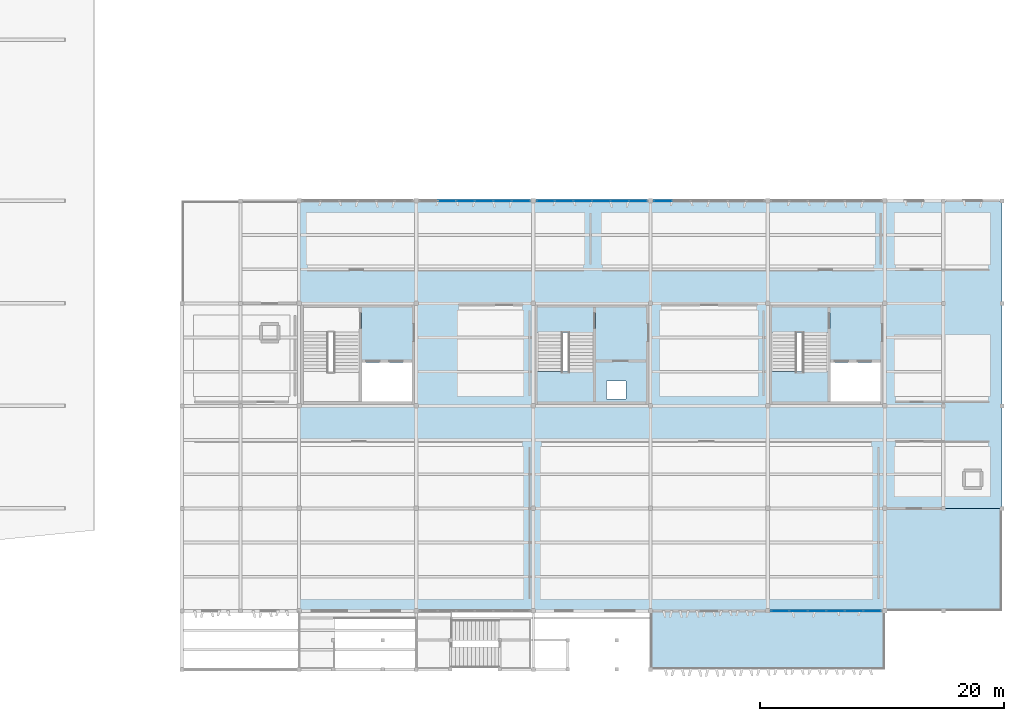
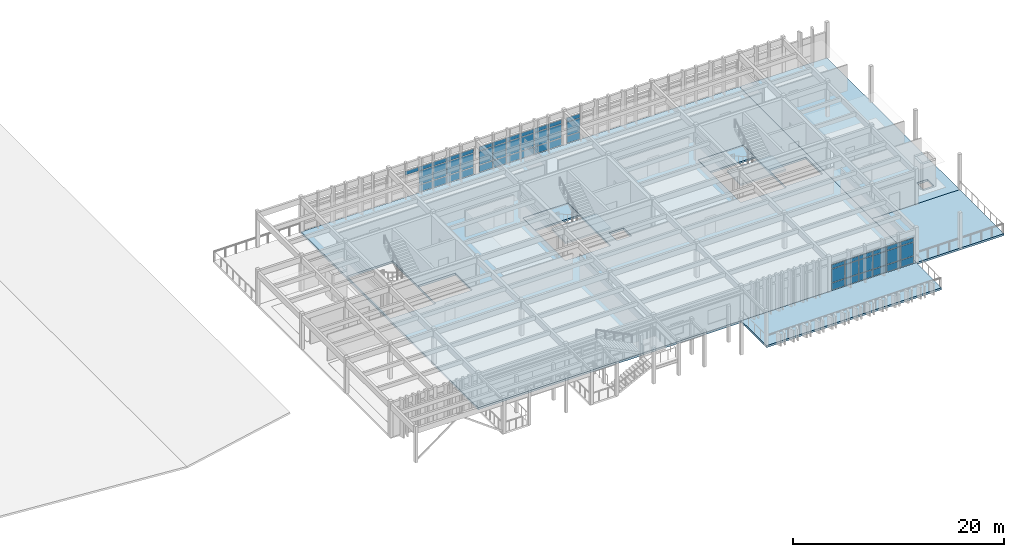
# One storey, part 12 of 18: 52 plates, 8 slabs, 6 elements without a shape of their own.
"""IFC4 building model written with IfcOpenShell, lengths in metres."""

from ifc_helpers import new_model, si_unit, direction, frame, origin, origin_2d, place, context, subcontext, project, spatial, polyline, rectangle, outline, extrude, material, layer, layer_set, type_object, element, aggregate, save


model = new_model("IFC4")

# Units and contexts
model_context = context("Model", 3, precision=1e-05, world=origin(), true_north=direction((0.0, 1.0)))
body_context = subcontext(model_context, "Body", "Model", "MODEL_VIEW")
ifc_project = project(units=[si_unit("LENGTHUNIT", "METRE"), si_unit("AREAUNIT", "SQUARE_METRE"), si_unit("VOLUMEUNIT", "CUBIC_METRE"), si_unit("PLANEANGLEUNIT", "RADIAN"), si_unit("MASSUNIT", "GRAM", prefix="KILO")], contexts=[model_context])

# Site, building, storey
site_placement = place(None, origin())
site = spatial("IfcSite", under=ifc_project, at=site_placement, CompositionType="ELEMENT")
building_placement = place(site_placement, origin())
building = spatial("IfcBuilding", under=site, at=building_placement, Name="Kolvemor Railside Polytechnic", CompositionType="ELEMENT")
storey_placement = place(building_placement, frame((0.0, 0.0, 18.60009765625)))
storey = spatial("IfcBuildingStorey", under=building, at=storey_placement, Name="L04", CompositionType="ELEMENT", Elevation=18.60009765625)

# Curtain wall, plates
ifc_material_1 = material(Name="Anodised marine aluminium and laminated low-E glass", Category="aluminium")
ifc_layer_1 = layer(ifc_material_1, 0.179931640625, Name="CW-UNIT-STD")
ifc_layer_set_1 = layer_set([ifc_layer_1], Name="Anodised marine aluminium and laminated low-E glass")
curtain_wall_type = type_object("IfcCurtainWallType", Name="CW-UNIT-STD", PredefinedType="USERDEFINED", material=ifc_layer_set_1)
curtain_wall_1_placement = place(storey_placement, origin())
curtain_wall_1 = element("IfcCurtainWall", 1, at=curtain_wall_1_placement, inside=storey, type_object=curtain_wall_type, Name="Curtain Wall L04-132", ObjectType="UNITISED CURTAIN WALL", PredefinedType="USERDEFINED")
ifc_material_2 = material(Name="Hurricane-laminated solar-control low-E glass", Category="glass")
ifc_layer_2 = layer(ifc_material_2, 0.033935546875, Name="CWP-GLZ-07")
ifc_layer_set_2 = layer_set([ifc_layer_2], Name="Hurricane-laminated solar-control low-E glass")
plate_type_1 = type_object("IfcPlateType", Name="CWP-GLZ-07", PredefinedType="CURTAIN_PANEL", material=ifc_layer_set_2)
plate_1_placement = place(storey_placement, frame((85.3837890625, 38.39990234375, 0.06494140625), z_axis=(0.0, 0.0, 1.0), x_axis=(-1.0, 0.0, 0.0)))
plate_1 = element("IfcPlate", 2, at=plate_1_placement, type_object=plate_type_1, Name="CW-STD panel 1.1", PredefinedType="CURTAIN_PANEL", context=body_context, shape_type="SweptSolid", body=[
    extrude(rectangle(XDim=1.422607421875, YDim=0.033935546875, at=origin_2d()), origin(), (0.0, 0.0, 1.0), 0.802490234375),
])
plate_2_placement = place(storey_placement, frame((85.3837890625, 38.39990234375, 0.9326171875), z_axis=(0.0, 0.0, 1.0), x_axis=(-1.0, 0.0, 0.0)))
plate_2 = element("IfcPlate", 3, at=plate_2_placement, type_object=plate_type_1, Name="CW-STD panel 1.2", PredefinedType="CURTAIN_PANEL", context=body_context, shape_type="SweptSolid", body=[
    extrude(rectangle(XDim=1.422607421875, YDim=0.033935546875, at=origin_2d()), origin(), (0.0, 0.0, 1.0), 1.554931640625),
])
plate_3_placement = place(storey_placement, frame((85.3837890625, 38.39990234375, 2.55224609375), z_axis=(0.0, 0.0, 1.0), x_axis=(-1.0, 0.0, 0.0)))
plate_3 = element("IfcPlate", 4, at=plate_3_placement, type_object=plate_type_1, Name="CW-STD panel 1.3", PredefinedType="CURTAIN_PANEL", context=body_context, shape_type="SweptSolid", body=[
    extrude(rectangle(XDim=1.422607421875, YDim=0.033935546875, at=origin_2d()), origin(), (0.0, 0.0, 1.0), 0.452392578125),
])
plate_4_placement = place(storey_placement, frame((83.8798828125, 38.39990234375, 0.06494140625), z_axis=(0.0, 0.0, 1.0), x_axis=(-1.0, 0.0, 0.0)))
plate_4 = element("IfcPlate", 5, at=plate_4_placement, type_object=plate_type_1, Name="CW-STD panel 2.1", PredefinedType="CURTAIN_PANEL", context=body_context, shape_type="SweptSolid", body=[
    extrude(rectangle(XDim=1.455078125, YDim=0.033935546875, at=origin_2d()), origin(), (0.0, 0.0, 1.0), 0.802490234375),
])
plate_5_placement = place(storey_placement, frame((83.8798828125, 38.39990234375, 0.9326171875), z_axis=(0.0, 0.0, 1.0), x_axis=(-1.0, 0.0, 0.0)))
plate_5 = element("IfcPlate", 6, at=plate_5_placement, type_object=plate_type_1, Name="CW-STD panel 2.2", PredefinedType="CURTAIN_PANEL", context=body_context, shape_type="SweptSolid", body=[
    extrude(rectangle(XDim=1.455078125, YDim=0.033935546875, at=origin_2d()), origin(), (0.0, 0.0, 1.0), 1.554931640625),
])
plate_6_placement = place(storey_placement, frame((83.8798828125, 38.39990234375, 2.55224609375), z_axis=(0.0, 0.0, 1.0), x_axis=(-1.0, 0.0, 0.0)))
plate_6 = element("IfcPlate", 7, at=plate_6_placement, type_object=plate_type_1, Name="CW-STD panel 2.3", PredefinedType="CURTAIN_PANEL", context=body_context, shape_type="SweptSolid", body=[
    extrude(rectangle(XDim=1.455078125, YDim=0.033935546875, at=origin_2d()), origin(), (0.0, 0.0, 1.0), 0.452392578125),
])
plate_7_placement = place(storey_placement, frame((82.360107421875, 38.39990234375, 0.06494140625), z_axis=(0.0, 0.0, 1.0), x_axis=(-1.0, 0.0, 0.0)))
plate_7 = element("IfcPlate", 8, at=plate_7_placement, type_object=plate_type_1, Name="CW-STD panel 3.1", PredefinedType="CURTAIN_PANEL", context=body_context, shape_type="SweptSolid", body=[
    extrude(rectangle(XDim=1.455078125, YDim=0.033935546875, at=origin_2d()), origin(), (0.0, 0.0, 1.0), 0.802490234375),
])
plate_8_placement = place(storey_placement, frame((82.360107421875, 38.39990234375, 0.9326171875), z_axis=(0.0, 0.0, 1.0), x_axis=(-1.0, 0.0, 0.0)))
plate_8 = element("IfcPlate", 9, at=plate_8_placement, type_object=plate_type_1, Name="CW-STD panel 3.2", PredefinedType="CURTAIN_PANEL", context=body_context, shape_type="SweptSolid", body=[
    extrude(rectangle(XDim=1.455078125, YDim=0.033935546875, at=origin_2d()), origin(), (0.0, 0.0, 1.0), 1.554931640625),
])
plate_9_placement = place(storey_placement, frame((82.360107421875, 38.39990234375, 2.55224609375), z_axis=(0.0, 0.0, 1.0), x_axis=(-1.0, 0.0, 0.0)))
plate_9 = element("IfcPlate", 10, at=plate_9_placement, type_object=plate_type_1, Name="CW-STD panel 3.3", PredefinedType="CURTAIN_PANEL", context=body_context, shape_type="SweptSolid", body=[
    extrude(rectangle(XDim=1.455078125, YDim=0.033935546875, at=origin_2d()), origin(), (0.0, 0.0, 1.0), 0.452392578125),
])
plate_10_placement = place(storey_placement, frame((80.840087890625, 38.39990234375, 0.06494140625), z_axis=(0.0, 0.0, 1.0), x_axis=(-1.0, 0.0, 0.0)))
plate_10 = element("IfcPlate", 11, at=plate_10_placement, type_object=plate_type_1, Name="CW-STD panel 4.1", PredefinedType="CURTAIN_PANEL", context=body_context, shape_type="SweptSolid", body=[
    extrude(rectangle(XDim=1.455078125, YDim=0.033935546875, at=origin_2d()), origin(), (0.0, 0.0, 1.0), 0.802490234375),
])
plate_11_placement = place(storey_placement, frame((80.840087890625, 38.39990234375, 0.9326171875), z_axis=(0.0, 0.0, 1.0), x_axis=(-1.0, 0.0, 0.0)))
plate_11 = element("IfcPlate", 12, at=plate_11_placement, type_object=plate_type_1, Name="CW-STD panel 4.2", PredefinedType="CURTAIN_PANEL", context=body_context, shape_type="SweptSolid", body=[
    extrude(rectangle(XDim=1.455078125, YDim=0.033935546875, at=origin_2d()), origin(), (0.0, 0.0, 1.0), 1.554931640625),
])
plate_12_placement = place(storey_placement, frame((80.840087890625, 38.39990234375, 2.55224609375), z_axis=(0.0, 0.0, 1.0), x_axis=(-1.0, 0.0, 0.0)))
plate_12 = element("IfcPlate", 13, at=plate_12_placement, type_object=plate_type_1, Name="CW-STD panel 4.3", PredefinedType="CURTAIN_PANEL", context=body_context, shape_type="SweptSolid", body=[
    extrude(rectangle(XDim=1.455078125, YDim=0.033935546875, at=origin_2d()), origin(), (0.0, 0.0, 1.0), 0.452392578125),
])
plate_13_placement = place(storey_placement, frame((79.320068359375, 38.39990234375, 2.55224609375), z_axis=(0.0, 0.0, 1.0), x_axis=(-1.0, 0.0, 0.0)))
plate_13 = element("IfcPlate", 14, at=plate_13_placement, type_object=plate_type_1, Name="CW-STD panel 5.3", PredefinedType="CURTAIN_PANEL", context=body_context, shape_type="SweptSolid", body=[
    extrude(rectangle(XDim=1.455078125, YDim=0.033935546875, at=origin_2d()), origin(), (0.0, 0.0, 1.0), 0.452392578125),
])
aggregate(curtain_wall_1, [plate_1, plate_2, plate_3, plate_4, plate_5, plate_6, plate_7, plate_8, plate_9, plate_10, plate_11, plate_12, plate_13])

curtain_wall_2_placement = place(storey_placement, origin())
curtain_wall_2 = element("IfcCurtainWall", 15, at=curtain_wall_2_placement, inside=storey, type_object=curtain_wall_type, Name="Curtain Wall L04-133", ObjectType="UNITISED CURTAIN WALL", PredefinedType="USERDEFINED")
ifc_material_3 = material(Name="Hurricane-laminated solar-control low-E glass", Category="glass")
ifc_layer_3 = layer(ifc_material_3, 0.035888671875, Name="CWP-GLZ-08")
ifc_layer_set_3 = layer_set([ifc_layer_3], Name="Hurricane-laminated solar-control low-E glass")
plate_type_2 = type_object("IfcPlateType", Name="CWP-GLZ-08", PredefinedType="CURTAIN_PANEL", material=ifc_layer_set_3)
plate_14_placement = place(storey_placement, frame((94.983642578125, 38.39990234375, 0.06494140625), z_axis=(0.0, 0.0, 1.0), x_axis=(-1.0, 0.0, 0.0)))
plate_14 = element("IfcPlate", 16, at=plate_14_placement, type_object=plate_type_2, Name="CW-STD panel 1.1", PredefinedType="CURTAIN_PANEL", context=body_context, shape_type="SweptSolid", body=[
    extrude(rectangle(XDim=1.422607421875, YDim=0.035888671875, at=origin_2d()), origin(), (0.0, 0.0, 1.0), 0.802490234375),
])
plate_15_placement = place(storey_placement, frame((94.983642578125, 38.39990234375, 0.9326171875), z_axis=(0.0, 0.0, 1.0), x_axis=(-1.0, 0.0, 0.0)))
plate_15 = element("IfcPlate", 17, at=plate_15_placement, type_object=plate_type_2, Name="CW-STD panel 1.2", PredefinedType="CURTAIN_PANEL", context=body_context, shape_type="SweptSolid", body=[
    extrude(rectangle(XDim=1.422607421875, YDim=0.035888671875, at=origin_2d()), origin(), (0.0, 0.0, 1.0), 1.554931640625),
])
plate_16_placement = place(storey_placement, frame((94.983642578125, 38.39990234375, 2.55224609375), z_axis=(0.0, 0.0, 1.0), x_axis=(-1.0, 0.0, 0.0)))
plate_16 = element("IfcPlate", 18, at=plate_16_placement, type_object=plate_type_2, Name="CW-STD panel 1.3", PredefinedType="CURTAIN_PANEL", context=body_context, shape_type="SweptSolid", body=[
    extrude(rectangle(XDim=1.422607421875, YDim=0.035888671875, at=origin_2d()), origin(), (0.0, 0.0, 1.0), 0.452392578125),
])
plate_17_placement = place(storey_placement, frame((93.47998046875, 38.39990234375, 0.06494140625), z_axis=(0.0, 0.0, 1.0), x_axis=(-1.0, 0.0, 0.0)))
plate_17 = element("IfcPlate", 19, at=plate_17_placement, type_object=plate_type_2, Name="CW-STD panel 2.1", PredefinedType="CURTAIN_PANEL", context=body_context, shape_type="SweptSolid", body=[
    extrude(rectangle(XDim=1.455078125, YDim=0.035888671875, at=origin_2d()), origin(), (0.0, 0.0, 1.0), 0.802490234375),
])
plate_18_placement = place(storey_placement, frame((93.47998046875, 38.39990234375, 0.9326171875), z_axis=(0.0, 0.0, 1.0), x_axis=(-1.0, 0.0, 0.0)))
plate_18 = element("IfcPlate", 20, at=plate_18_placement, type_object=plate_type_2, Name="CW-STD panel 2.2", PredefinedType="CURTAIN_PANEL", context=body_context, shape_type="SweptSolid", body=[
    extrude(rectangle(XDim=1.455078125, YDim=0.035888671875, at=origin_2d()), origin(), (0.0, 0.0, 1.0), 1.554931640625),
])
plate_19_placement = place(storey_placement, frame((93.47998046875, 38.39990234375, 2.55224609375), z_axis=(0.0, 0.0, 1.0), x_axis=(-1.0, 0.0, 0.0)))
plate_19 = element("IfcPlate", 21, at=plate_19_placement, type_object=plate_type_2, Name="CW-STD panel 2.3", PredefinedType="CURTAIN_PANEL", context=body_context, shape_type="SweptSolid", body=[
    extrude(rectangle(XDim=1.455078125, YDim=0.035888671875, at=origin_2d()), origin(), (0.0, 0.0, 1.0), 0.452392578125),
])
plate_20_placement = place(storey_placement, frame((91.9599609375, 38.39990234375, 0.06494140625), z_axis=(0.0, 0.0, 1.0), x_axis=(-1.0, 0.0, 0.0)))
plate_20 = element("IfcPlate", 22, at=plate_20_placement, type_object=plate_type_2, Name="CW-STD panel 3.1", PredefinedType="CURTAIN_PANEL", context=body_context, shape_type="SweptSolid", body=[
    extrude(rectangle(XDim=1.455078125, YDim=0.035888671875, at=origin_2d()), origin(), (0.0, 0.0, 1.0), 0.802490234375),
])
plate_21_placement = place(storey_placement, frame((91.9599609375, 38.39990234375, 0.9326171875), z_axis=(0.0, 0.0, 1.0), x_axis=(-1.0, 0.0, 0.0)))
plate_21 = element("IfcPlate", 23, at=plate_21_placement, type_object=plate_type_2, Name="CW-STD panel 3.2", PredefinedType="CURTAIN_PANEL", context=body_context, shape_type="SweptSolid", body=[
    extrude(rectangle(XDim=1.455078125, YDim=0.035888671875, at=origin_2d()), origin(), (0.0, 0.0, 1.0), 1.554931640625),
])
plate_22_placement = place(storey_placement, frame((91.9599609375, 38.39990234375, 2.55224609375), z_axis=(0.0, 0.0, 1.0), x_axis=(-1.0, 0.0, 0.0)))
plate_22 = element("IfcPlate", 24, at=plate_22_placement, type_object=plate_type_2, Name="CW-STD panel 3.3", PredefinedType="CURTAIN_PANEL", context=body_context, shape_type="SweptSolid", body=[
    extrude(rectangle(XDim=1.455078125, YDim=0.035888671875, at=origin_2d()), origin(), (0.0, 0.0, 1.0), 0.452392578125),
])
plate_23_placement = place(storey_placement, frame((90.43994140625, 38.39990234375, 0.06494140625), z_axis=(0.0, 0.0, 1.0), x_axis=(-1.0, 0.0, 0.0)))
plate_23 = element("IfcPlate", 25, at=plate_23_placement, type_object=plate_type_2, Name="CW-STD panel 4.1", PredefinedType="CURTAIN_PANEL", context=body_context, shape_type="SweptSolid", body=[
    extrude(rectangle(XDim=1.455078125, YDim=0.035888671875, at=origin_2d()), origin(), (0.0, 0.0, 1.0), 0.802490234375),
])
plate_24_placement = place(storey_placement, frame((90.43994140625, 38.39990234375, 0.9326171875), z_axis=(0.0, 0.0, 1.0), x_axis=(-1.0, 0.0, 0.0)))
plate_24 = element("IfcPlate", 26, at=plate_24_placement, type_object=plate_type_2, Name="CW-STD panel 4.2", PredefinedType="CURTAIN_PANEL", context=body_context, shape_type="SweptSolid", body=[
    extrude(rectangle(XDim=1.455078125, YDim=0.035888671875, at=origin_2d()), origin(), (0.0, 0.0, 1.0), 1.554931640625),
])
plate_25_placement = place(storey_placement, frame((90.43994140625, 38.39990234375, 2.55224609375), z_axis=(0.0, 0.0, 1.0), x_axis=(-1.0, 0.0, 0.0)))
plate_25 = element("IfcPlate", 27, at=plate_25_placement, type_object=plate_type_2, Name="CW-STD panel 4.3", PredefinedType="CURTAIN_PANEL", context=body_context, shape_type="SweptSolid", body=[
    extrude(rectangle(XDim=1.455078125, YDim=0.035888671875, at=origin_2d()), origin(), (0.0, 0.0, 1.0), 0.452392578125),
])
plate_26_placement = place(storey_placement, frame((88.919921875, 38.39990234375, 0.06494140625), z_axis=(0.0, 0.0, 1.0), x_axis=(-1.0, 0.0, 0.0)))
plate_26 = element("IfcPlate", 28, at=plate_26_placement, type_object=plate_type_2, Name="CW-STD panel 5.1", PredefinedType="CURTAIN_PANEL", context=body_context, shape_type="SweptSolid", body=[
    extrude(rectangle(XDim=1.455078125, YDim=0.035888671875, at=origin_2d()), origin(), (0.0, 0.0, 1.0), 0.802490234375),
])
plate_27_placement = place(storey_placement, frame((88.919921875, 38.39990234375, 0.9326171875), z_axis=(0.0, 0.0, 1.0), x_axis=(-1.0, 0.0, 0.0)))
plate_27 = element("IfcPlate", 29, at=plate_27_placement, type_object=plate_type_2, Name="CW-STD panel 5.2", PredefinedType="CURTAIN_PANEL", context=body_context, shape_type="SweptSolid", body=[
    extrude(rectangle(XDim=1.455078125, YDim=0.035888671875, at=origin_2d()), origin(), (0.0, 0.0, 1.0), 1.554931640625),
])
plate_28_placement = place(storey_placement, frame((88.919921875, 38.39990234375, 2.55224609375), z_axis=(0.0, 0.0, 1.0), x_axis=(-1.0, 0.0, 0.0)))
plate_28 = element("IfcPlate", 30, at=plate_28_placement, type_object=plate_type_2, Name="CW-STD panel 5.3", PredefinedType="CURTAIN_PANEL", context=body_context, shape_type="SweptSolid", body=[
    extrude(rectangle(XDim=1.455078125, YDim=0.035888671875, at=origin_2d()), origin(), (0.0, 0.0, 1.0), 0.452392578125),
])
plate_29_placement = place(storey_placement, frame((87.416259765625, 38.39990234375, 0.06494140625), z_axis=(0.0, 0.0, 1.0), x_axis=(-1.0, 0.0, 0.0)))
plate_29 = element("IfcPlate", 31, at=plate_29_placement, type_object=plate_type_2, Name="CW-STD panel 6.1", PredefinedType="CURTAIN_PANEL", context=body_context, shape_type="SweptSolid", body=[
    extrude(rectangle(XDim=1.422607421875, YDim=0.035888671875, at=origin_2d()), origin(), (0.0, 0.0, 1.0), 0.802490234375),
])
plate_30_placement = place(storey_placement, frame((87.416259765625, 38.39990234375, 0.9326171875), z_axis=(0.0, 0.0, 1.0), x_axis=(-1.0, 0.0, 0.0)))
plate_30 = element("IfcPlate", 32, at=plate_30_placement, type_object=plate_type_2, Name="CW-STD panel 6.2", PredefinedType="CURTAIN_PANEL", context=body_context, shape_type="SweptSolid", body=[
    extrude(rectangle(XDim=1.422607421875, YDim=0.035888671875, at=origin_2d()), origin(), (0.0, 0.0, 1.0), 1.554931640625),
])
plate_31_placement = place(storey_placement, frame((87.416259765625, 38.39990234375, 2.55224609375), z_axis=(0.0, 0.0, 1.0), x_axis=(-1.0, 0.0, 0.0)))
plate_31 = element("IfcPlate", 33, at=plate_31_placement, type_object=plate_type_2, Name="CW-STD panel 6.3", PredefinedType="CURTAIN_PANEL", context=body_context, shape_type="SweptSolid", body=[
    extrude(rectangle(XDim=1.422607421875, YDim=0.035888671875, at=origin_2d()), origin(), (0.0, 0.0, 1.0), 0.452392578125),
])
aggregate(curtain_wall_2, [plate_14, plate_15, plate_16, plate_17, plate_18, plate_19, plate_20, plate_21, plate_22, plate_23, plate_24, plate_25, plate_26, plate_27, plate_28, plate_29, plate_30, plate_31])

curtain_wall_3_placement = place(storey_placement, origin())
curtain_wall_3 = element("IfcCurtainWall", 34, at=curtain_wall_3_placement, inside=storey, type_object=curtain_wall_type, Name="Curtain Wall L04-134", ObjectType="UNITISED CURTAIN WALL", PredefinedType="USERDEFINED")
ifc_material_4 = material(Name="Hurricane-laminated solar-control low-E glass", Category="glass")
ifc_layer_4 = layer(ifc_material_4, 0.0380859375, Name="CWP-GLZ-09")
ifc_layer_set_4 = layer_set([ifc_layer_4], Name="Hurricane-laminated solar-control low-E glass")
plate_type_3 = type_object("IfcPlateType", Name="CWP-GLZ-09", PredefinedType="CURTAIN_PANEL", material=ifc_layer_set_4)
plate_32_placement = place(storey_placement, frame((97.016357421875, 38.39990234375, 0.06494140625), z_axis=(0.0, 0.0, 1.0), x_axis=(-1.0, 0.0, 0.0)))
plate_32 = element("IfcPlate", 35, at=plate_32_placement, type_object=plate_type_3, Name="CW-STD panel 6.1", PredefinedType="CURTAIN_PANEL", context=body_context, shape_type="SweptSolid", body=[
    extrude(rectangle(XDim=1.422607421875, YDim=0.0380859375, at=origin_2d()), origin(), (0.0, 0.0, 1.0), 0.802490234375),
])
plate_33_placement = place(storey_placement, frame((97.016357421875, 38.39990234375, 0.9326171875), z_axis=(0.0, 0.0, 1.0), x_axis=(-1.0, 0.0, 0.0)))
plate_33 = element("IfcPlate", 36, at=plate_33_placement, type_object=plate_type_3, Name="CW-STD panel 6.2", PredefinedType="CURTAIN_PANEL", context=body_context, shape_type="SweptSolid", body=[
    extrude(rectangle(XDim=1.422607421875, YDim=0.0380859375, at=origin_2d()), origin(), (0.0, 0.0, 1.0), 1.554931640625),
])
plate_34_placement = place(storey_placement, frame((97.016357421875, 38.39990234375, 2.55224609375), z_axis=(0.0, 0.0, 1.0), x_axis=(-1.0, 0.0, 0.0)))
plate_34 = element("IfcPlate", 37, at=plate_34_placement, type_object=plate_type_3, Name="CW-STD panel 6.3", PredefinedType="CURTAIN_PANEL", context=body_context, shape_type="SweptSolid", body=[
    extrude(rectangle(XDim=1.422607421875, YDim=0.0380859375, at=origin_2d()), origin(), (0.0, 0.0, 1.0), 0.452392578125),
])
aggregate(curtain_wall_3, [plate_32, plate_33, plate_34])

curtain_wall_4_placement = place(storey_placement, origin())
curtain_wall_4 = element("IfcCurtainWall", 38, at=curtain_wall_4_placement, inside=storey, type_object=curtain_wall_type, Name="Curtain Wall L04-105", ObjectType="UNITISED CURTAIN WALL", PredefinedType="USERDEFINED")
ifc_material_5 = material(Name="Hurricane-laminated solar-control low-E glass", Category="glass")
ifc_layer_5 = layer(ifc_material_5, 0.0439453125, Name="CWP-GLZ-12")
ifc_layer_set_5 = layer_set([ifc_layer_5], Name="Hurricane-laminated solar-control low-E glass")
plate_type_4 = type_object("IfcPlateType", Name="CWP-GLZ-12", PredefinedType="CURTAIN_PANEL", material=ifc_layer_set_5)
plate_35_placement = place(storey_placement, frame((106.61865234375, 4.800048828125, 0.074951171875), z_axis=(0.0, 0.0, 1.0), x_axis=(1.0, 0.0, 0.0)))
plate_35 = element("IfcPlate", 39, at=plate_35_placement, type_object=plate_type_4, Name="CW-STD panel 1.1", PredefinedType="CURTAIN_PANEL", context=body_context, shape_type="SweptSolid", body=[
    extrude(rectangle(XDim=1.407470703125, YDim=0.0439453125, at=origin_2d()), origin(), (0.0, 0.0, 1.0), 0.78759765625),
])
plate_36_placement = place(storey_placement, frame((106.61865234375, 4.800048828125, 0.9375), z_axis=(0.0, 0.0, 1.0), x_axis=(1.0, 0.0, 0.0)))
plate_36 = element("IfcPlate", 40, at=plate_36_placement, type_object=plate_type_4, Name="CW-STD panel 1.2", PredefinedType="CURTAIN_PANEL", context=body_context, shape_type="SweptSolid", body=[
    extrude(rectangle(XDim=1.407470703125, YDim=0.0439453125, at=origin_2d()), origin(), (0.0, 0.0, 1.0), 1.544921875),
])
plate_37_placement = place(storey_placement, frame((106.61865234375, 4.800048828125, 2.557373046875), z_axis=(0.0, 0.0, 1.0), x_axis=(1.0, 0.0, 0.0)))
plate_37 = element("IfcPlate", 41, at=plate_37_placement, type_object=plate_type_4, Name="CW-STD panel 1.3", PredefinedType="CURTAIN_PANEL", context=body_context, shape_type="SweptSolid", body=[
    extrude(rectangle(XDim=1.407470703125, YDim=0.0439453125, at=origin_2d()), origin(), (0.0, 0.0, 1.0), 0.4375),
])
plate_38_placement = place(storey_placement, frame((108.1201171875, 4.800048828125, 0.074951171875), z_axis=(0.0, 0.0, 1.0), x_axis=(1.0, 0.0, 0.0)))
plate_38 = element("IfcPlate", 42, at=plate_38_placement, type_object=plate_type_4, Name="CW-STD panel 2.1", PredefinedType="CURTAIN_PANEL", context=body_context, shape_type="SweptSolid", body=[
    extrude(rectangle(XDim=1.445068359375, YDim=0.0439453125, at=origin_2d()), origin(), (0.0, 0.0, 1.0), 0.78759765625),
])
plate_39_placement = place(storey_placement, frame((108.1201171875, 4.800048828125, 0.9375), z_axis=(0.0, 0.0, 1.0), x_axis=(1.0, 0.0, 0.0)))
plate_39 = element("IfcPlate", 43, at=plate_39_placement, type_object=plate_type_4, Name="CW-STD panel 2.2", PredefinedType="CURTAIN_PANEL", context=body_context, shape_type="SweptSolid", body=[
    extrude(rectangle(XDim=1.445068359375, YDim=0.0439453125, at=origin_2d()), origin(), (0.0, 0.0, 1.0), 1.544921875),
])
plate_40_placement = place(storey_placement, frame((108.1201171875, 4.800048828125, 2.557373046875), z_axis=(0.0, 0.0, 1.0), x_axis=(1.0, 0.0, 0.0)))
plate_40 = element("IfcPlate", 44, at=plate_40_placement, type_object=plate_type_4, Name="CW-STD panel 2.3", PredefinedType="CURTAIN_PANEL", context=body_context, shape_type="SweptSolid", body=[
    extrude(rectangle(XDim=1.445068359375, YDim=0.0439453125, at=origin_2d()), origin(), (0.0, 0.0, 1.0), 0.4375),
])
plate_41_placement = place(storey_placement, frame((109.639892578125, 4.800048828125, 0.074951171875), z_axis=(0.0, 0.0, 1.0), x_axis=(1.0, 0.0, 0.0)))
plate_41 = element("IfcPlate", 45, at=plate_41_placement, type_object=plate_type_4, Name="CW-STD panel 3.1", PredefinedType="CURTAIN_PANEL", context=body_context, shape_type="SweptSolid", body=[
    extrude(rectangle(XDim=1.445068359375, YDim=0.0439453125, at=origin_2d()), origin(), (0.0, 0.0, 1.0), 0.78759765625),
])
plate_42_placement = place(storey_placement, frame((109.639892578125, 4.800048828125, 0.9375), z_axis=(0.0, 0.0, 1.0), x_axis=(1.0, 0.0, 0.0)))
plate_42 = element("IfcPlate", 46, at=plate_42_placement, type_object=plate_type_4, Name="CW-STD panel 3.2", PredefinedType="CURTAIN_PANEL", context=body_context, shape_type="SweptSolid", body=[
    extrude(rectangle(XDim=1.445068359375, YDim=0.0439453125, at=origin_2d()), origin(), (0.0, 0.0, 1.0), 1.544921875),
])
plate_43_placement = place(storey_placement, frame((109.639892578125, 4.800048828125, 2.557373046875), z_axis=(0.0, 0.0, 1.0), x_axis=(1.0, 0.0, 0.0)))
plate_43 = element("IfcPlate", 47, at=plate_43_placement, type_object=plate_type_4, Name="CW-STD panel 3.3", PredefinedType="CURTAIN_PANEL", context=body_context, shape_type="SweptSolid", body=[
    extrude(rectangle(XDim=1.445068359375, YDim=0.0439453125, at=origin_2d()), origin(), (0.0, 0.0, 1.0), 0.4375),
])
plate_44_placement = place(storey_placement, frame((111.159912109375, 4.800048828125, 0.074951171875), z_axis=(0.0, 0.0, 1.0), x_axis=(1.0, 0.0, 0.0)))
plate_44 = element("IfcPlate", 48, at=plate_44_placement, type_object=plate_type_4, Name="CW-STD panel 4.1", PredefinedType="CURTAIN_PANEL", context=body_context, shape_type="SweptSolid", body=[
    extrude(rectangle(XDim=1.445068359375, YDim=0.0439453125, at=origin_2d()), origin(), (0.0, 0.0, 1.0), 0.78759765625),
])
plate_45_placement = place(storey_placement, frame((111.159912109375, 4.800048828125, 0.9375), z_axis=(0.0, 0.0, 1.0), x_axis=(1.0, 0.0, 0.0)))
plate_45 = element("IfcPlate", 49, at=plate_45_placement, type_object=plate_type_4, Name="CW-STD panel 4.2", PredefinedType="CURTAIN_PANEL", context=body_context, shape_type="SweptSolid", body=[
    extrude(rectangle(XDim=1.445068359375, YDim=0.0439453125, at=origin_2d()), origin(), (0.0, 0.0, 1.0), 1.544921875),
])
plate_46_placement = place(storey_placement, frame((111.159912109375, 4.800048828125, 2.557373046875), z_axis=(0.0, 0.0, 1.0), x_axis=(1.0, 0.0, 0.0)))
plate_46 = element("IfcPlate", 50, at=plate_46_placement, type_object=plate_type_4, Name="CW-STD panel 4.3", PredefinedType="CURTAIN_PANEL", context=body_context, shape_type="SweptSolid", body=[
    extrude(rectangle(XDim=1.445068359375, YDim=0.0439453125, at=origin_2d()), origin(), (0.0, 0.0, 1.0), 0.4375),
])
plate_47_placement = place(storey_placement, frame((112.679931640625, 4.800048828125, 0.074951171875), z_axis=(0.0, 0.0, 1.0), x_axis=(1.0, 0.0, 0.0)))
plate_47 = element("IfcPlate", 51, at=plate_47_placement, type_object=plate_type_4, Name="CW-STD panel 5.1", PredefinedType="CURTAIN_PANEL", context=body_context, shape_type="SweptSolid", body=[
    extrude(rectangle(XDim=1.445068359375, YDim=0.0439453125, at=origin_2d()), origin(), (0.0, 0.0, 1.0), 0.78759765625),
])
plate_48_placement = place(storey_placement, frame((112.679931640625, 4.800048828125, 0.9375), z_axis=(0.0, 0.0, 1.0), x_axis=(1.0, 0.0, 0.0)))
plate_48 = element("IfcPlate", 52, at=plate_48_placement, type_object=plate_type_4, Name="CW-STD panel 5.2", PredefinedType="CURTAIN_PANEL", context=body_context, shape_type="SweptSolid", body=[
    extrude(rectangle(XDim=1.445068359375, YDim=0.0439453125, at=origin_2d()), origin(), (0.0, 0.0, 1.0), 1.544921875),
])
plate_49_placement = place(storey_placement, frame((112.679931640625, 4.800048828125, 2.557373046875), z_axis=(0.0, 0.0, 1.0), x_axis=(1.0, 0.0, 0.0)))
plate_49 = element("IfcPlate", 53, at=plate_49_placement, type_object=plate_type_4, Name="CW-STD panel 5.3", PredefinedType="CURTAIN_PANEL", context=body_context, shape_type="SweptSolid", body=[
    extrude(rectangle(XDim=1.445068359375, YDim=0.0439453125, at=origin_2d()), origin(), (0.0, 0.0, 1.0), 0.4375),
])
plate_50_placement = place(storey_placement, frame((114.18115234375, 4.800048828125, 0.074951171875), z_axis=(0.0, 0.0, 1.0), x_axis=(1.0, 0.0, 0.0)))
plate_50 = element("IfcPlate", 54, at=plate_50_placement, type_object=plate_type_4, Name="CW-STD panel 6.1", PredefinedType="CURTAIN_PANEL", context=body_context, shape_type="SweptSolid", body=[
    extrude(rectangle(XDim=1.407470703125, YDim=0.0439453125, at=origin_2d()), origin(), (0.0, 0.0, 1.0), 0.78759765625),
])
plate_51_placement = place(storey_placement, frame((114.18115234375, 4.800048828125, 0.9375), z_axis=(0.0, 0.0, 1.0), x_axis=(1.0, 0.0, 0.0)))
plate_51 = element("IfcPlate", 55, at=plate_51_placement, type_object=plate_type_4, Name="CW-STD panel 6.2", PredefinedType="CURTAIN_PANEL", context=body_context, shape_type="SweptSolid", body=[
    extrude(rectangle(XDim=1.407470703125, YDim=0.0439453125, at=origin_2d()), origin(), (0.0, 0.0, 1.0), 1.544921875),
])
plate_52_placement = place(storey_placement, frame((114.18115234375, 4.800048828125, 2.557373046875), z_axis=(0.0, 0.0, 1.0), x_axis=(1.0, 0.0, 0.0)))
plate_52 = element("IfcPlate", 56, at=plate_52_placement, type_object=plate_type_4, Name="CW-STD panel 6.3", PredefinedType="CURTAIN_PANEL", context=body_context, shape_type="SweptSolid", body=[
    extrude(rectangle(XDim=1.407470703125, YDim=0.0439453125, at=origin_2d()), origin(), (0.0, 0.0, 1.0), 0.4375),
])
aggregate(curtain_wall_4, [plate_35, plate_36, plate_37, plate_38, plate_39, plate_40, plate_41, plate_42, plate_43, plate_44, plate_45, plate_46, plate_47, plate_48, plate_49, plate_50, plate_51, plate_52])

# Slabs
ifc_material_6 = material(Name="Cross-laminated timber CLT E1", Category="wood")
ifc_layer_6 = layer(ifc_material_6, 0.239990234375, Name="SLB-CLT-240")
ifc_layer_set_6 = layer_set([ifc_layer_6], Name="Cross-laminated timber CLT E1")
slab_type_1 = type_object("IfcSlabType", Name="SLB-CLT-240", PredefinedType="FLOOR", material=ifc_layer_set_6)
slab_1_placement = place(storey_placement, frame((0.0, 0.0, -0.239990234375)))
element("IfcSlab", 57, at=slab_1_placement, inside=storey, type_object=slab_type_1, Name="V2 Shifted Band L04 CLT Slab L04-81", PredefinedType="FLOOR", context=body_context, shape_type="SweptSolid", body=[
    extrude(outline(polyline([(67.199951171875, 4.800048828125), (115.199951171875, 4.800048828125), (115.199951171875, 38.39990234375), (67.199951171875, 38.39990234375), (67.199951171875, 4.800048828125)]), holes=[polyline([(67.340087890625, 21.739990234375), (72.31005859375, 21.739990234375), (72.31005859375, 29.860107421875), (67.340087890625, 29.860107421875), (67.340087890625, 21.739990234375)]), polyline([(72.35009765625, 21.949951171875), (76.449951171875, 21.949951171875), (76.449951171875, 25.14990234375), (72.35009765625, 25.14990234375), (72.35009765625, 21.949951171875)]), polyline([(105.739990234375, 21.739990234375), (110.7099609375, 21.739990234375), (110.7099609375, 29.860107421875), (105.739990234375, 29.860107421875), (105.739990234375, 21.739990234375)]), polyline([(110.75, 21.949951171875), (114.85009765625, 21.949951171875), (114.85009765625, 25.14990234375), (110.75, 25.14990234375), (110.75, 21.949951171875)]), polyline([(86.5400390625, 21.739990234375), (91.510009765625, 21.739990234375), (91.510009765625, 29.860107421875), (86.5400390625, 29.860107421875), (86.5400390625, 21.739990234375)]), polyline([(92.39990234375, 22.14990234375), (94.0, 22.14990234375), (94.0, 23.64990234375), (92.39990234375, 23.64990234375), (92.39990234375, 22.14990234375)])]), origin(), (0.0, 0.0, 1.0), 0.239990234375),
])
slab_2_placement = place(storey_placement, frame((0.0, 0.0, -0.239990234375)))
element("IfcSlab", 58, at=slab_2_placement, inside=storey, type_object=slab_type_1, Name="V2 Shifted Band L04 CLT Slab L04-82", PredefinedType="FLOOR", context=body_context, shape_type="SweptSolid", body=[
    extrude(outline(polyline([(115.199951171875, 13.199951171875), (124.800048828125, 13.199951171875), (124.800048828125, 38.39990234375), (115.199951171875, 38.39990234375), (115.199951171875, 13.199951171875)]), holes=[polyline([(121.800048828125, 15.0), (123.0, 15.0), (123.0, 16.199951171875), (121.800048828125, 16.199951171875), (121.800048828125, 15.0)])]), origin(), (0.0, 0.0, 1.0), 0.239990234375),
])
ifc_material_7 = material(Name="Concrete C40/50", Category="concrete")
ifc_layer_7 = layer(ifc_material_7, 0.199951171875, Name="SLB-LND-200")
ifc_layer_set_7 = layer_set([ifc_layer_7], Name="Concrete C40/50")
slab_type_2 = type_object("IfcSlabType", Name="SLB-LND-200", PredefinedType="LANDING", material=ifc_layer_set_7)
slab_3_placement = place(storey_placement, frame((0.0, 0.0, -0.2001953125)))
element("IfcSlab", 59, at=slab_3_placement, inside=storey, type_object=slab_type_2, Name="ST-2 Floor Landing L04", PredefinedType="LANDING", context=body_context, shape_type="SweptSolid", body=[
    extrude(outline(polyline([(105.760009765625, 27.60009765625), (110.68994140625, 27.60009765625), (110.68994140625, 29.840087890625), (105.760009765625, 29.840087890625), (105.760009765625, 27.60009765625)])), origin(), (0.0, 0.0, 1.0), 0.2001953125),
])

# Stair, slab
ifc_material_8 = material(Name="Concrete C40/50", Category="concrete")
stair_type = type_object("IfcStairType", Name="STR-CORE-420", PredefinedType="HALF_TURN_STAIR", material=ifc_material_8)
stair_1_placement = place(storey_placement, origin())
stair_1 = element("IfcStair", 60, at=stair_1_placement, inside=storey, type_object=stair_type, Name="Core Stair ST-2 (L04 to L05)", PredefinedType="HALF_TURN_STAIR")
slab_4_placement = place(storey_placement, frame((0.0, 0.0, 1.89990234375)))
slab_4 = element("IfcSlab", 61, at=slab_4_placement, type_object=slab_type_2, Name="ST-2-L04 landing 1", PredefinedType="LANDING", context=body_context, shape_type="SweptSolid", body=[
    extrude(outline(polyline([(105.75, 21.75), (110.699951171875, 21.75), (110.699951171875, 24.39990234375), (105.75, 24.39990234375), (105.75, 21.75)])), origin(), (0.0, 0.0, 1.0), 0.199951171875),
])
aggregate(stair_1, [slab_4])

# Slab
slab_5_placement = place(storey_placement, frame((0.0, 0.0, -0.2001953125)))
element("IfcSlab", 62, at=slab_5_placement, inside=storey, type_object=slab_type_2, Name="ST-3 Floor Landing L04", PredefinedType="LANDING", context=body_context, shape_type="SweptSolid", body=[
    extrude(outline(polyline([(86.56005859375, 27.60009765625), (91.489990234375, 27.60009765625), (91.489990234375, 29.840087890625), (86.56005859375, 29.840087890625), (86.56005859375, 27.60009765625)])), origin(), (0.0, 0.0, 1.0), 0.2001953125),
])

# Stair, slab
stair_2_placement = place(storey_placement, origin())
stair_2 = element("IfcStair", 63, at=stair_2_placement, inside=storey, type_object=stair_type, Name="Core Stair ST-3 (L04 to L05)", PredefinedType="HALF_TURN_STAIR")
slab_6_placement = place(storey_placement, frame((0.0, 0.0, 1.89990234375)))
slab_6 = element("IfcSlab", 64, at=slab_6_placement, type_object=slab_type_2, Name="ST-3-L04 landing 1", PredefinedType="LANDING", context=body_context, shape_type="SweptSolid", body=[
    extrude(outline(polyline([(86.550048828125, 21.75), (91.5, 21.75), (91.5, 24.39990234375), (86.550048828125, 24.39990234375), (86.550048828125, 21.75)])), origin(), (0.0, 0.0, 1.0), 0.199951171875),
])
aggregate(stair_2, [slab_6])

# Slabs
ifc_material_9 = material(Name="Cross-laminated timber CLT E1", Category="wood")
ifc_layer_8 = layer(ifc_material_9, 0.22998046875, Name="SLB-TER-230")
ifc_layer_set_8 = layer_set([ifc_layer_8], Name="Cross-laminated timber CLT E1")
slab_type_3 = type_object("IfcSlabType", Name="SLB-TER-230", PredefinedType="FLOOR", material=ifc_layer_set_8)
slab_7_placement = place(storey_placement, frame((0.0, 0.0, -0.22998046875)))
element("IfcSlab", 65, at=slab_7_placement, inside=storey, type_object=slab_type_3, Name="Corner Study Terrace L04-SE L04-96", PredefinedType="FLOOR", context=body_context, shape_type="SweptSolid", body=[
    extrude(outline(polyline([(115.199951171875, 4.800048828125), (124.800048828125, 4.800048828125), (124.800048828125, 13.199951171875), (115.199951171875, 13.199951171875), (115.199951171875, 4.800048828125)])), origin(), (0.0, 0.0, 1.0), 0.22998046875),
])
slab_8_placement = place(storey_placement, frame((0.0, 0.0, -0.22998046875)))
element("IfcSlab", 66, at=slab_8_placement, inside=storey, type_object=slab_type_3, Name="Shifted South-East Terrace L04 L04-97", PredefinedType="FLOOR", context=body_context, shape_type="SweptSolid", body=[
    extrude(outline(polyline([(96.0, 0.0), (115.199951171875, 0.0), (115.199951171875, 4.800048828125), (96.0, 4.800048828125), (96.0, 0.0)])), origin(), (0.0, 0.0, 1.0), 0.22998046875),
])

save(model, "model.ifc")
